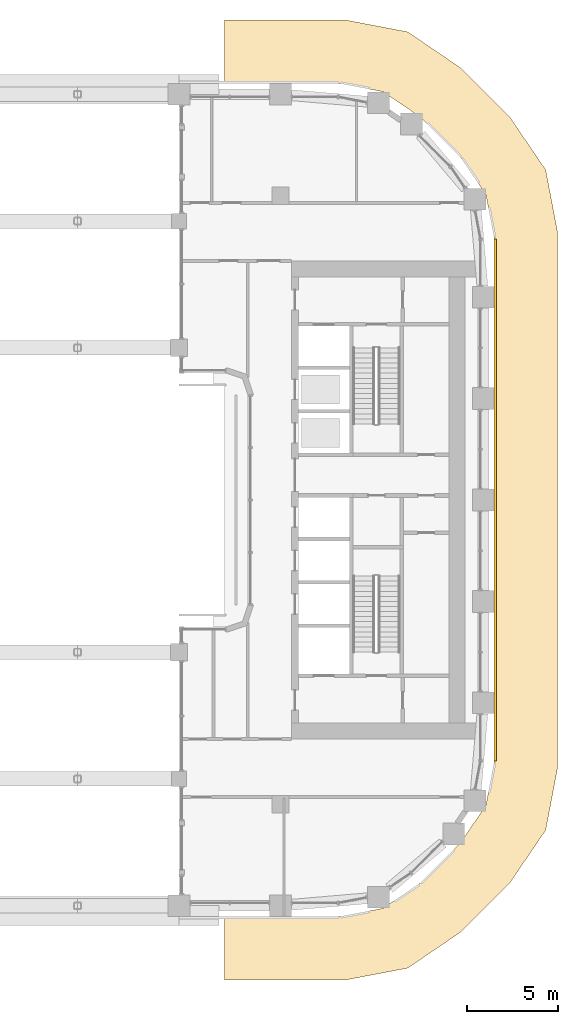
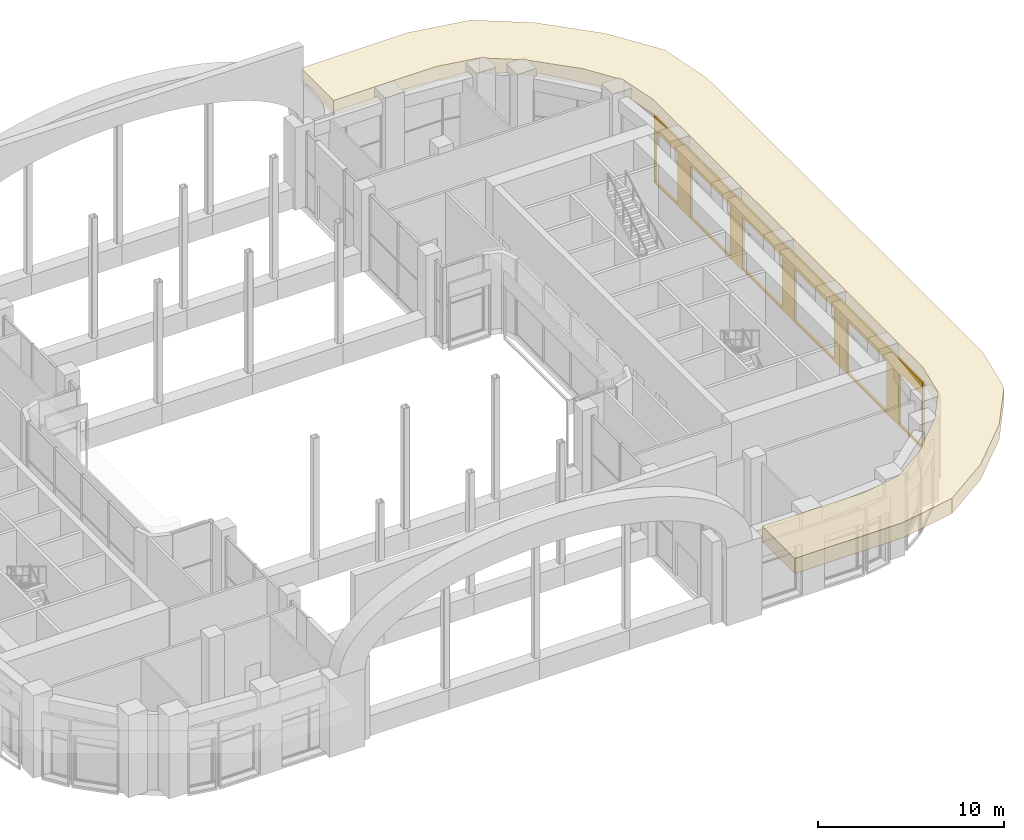
# One storey, part 25 of 28: 2 coverings.
"""IFC4 building model written with IfcOpenShell, lengths in metres."""

from ifc_helpers import new_model, si_unit, direction, frame, origin, place, context, subcontext, project, spatial, polyline, outline, extrude, material, layer, layer_set, type_object, element, save


model = new_model("IFC4")

# Units and contexts
model_context = context("Model", 3, precision=1e-05, world=origin(), true_north=direction((0.0, 1.0)))
body_context = subcontext(model_context, "Body", "Model", "MODEL_VIEW")
ifc_project = project(units=[si_unit("LENGTHUNIT", "METRE"), si_unit("AREAUNIT", "SQUARE_METRE"), si_unit("VOLUMEUNIT", "CUBIC_METRE"), si_unit("PLANEANGLEUNIT", "RADIAN"), si_unit("MASSUNIT", "GRAM", prefix="KILO")], contexts=[model_context])

# Site, building, storey
site_placement = place(None, origin())
site = spatial("IfcSite", under=ifc_project, at=site_placement, CompositionType="ELEMENT")
building_placement = place(site_placement, origin())
building = spatial("IfcBuilding", under=site, at=building_placement, Name="Kiln Ring Residences", CompositionType="ELEMENT")
storey_placement = place(building_placement, frame((0.0, 0.0, 125.300048828125)))
storey = spatial("IfcBuildingStorey", under=building, at=storey_placement, Name="L32", CompositionType="ELEMENT", Elevation=125.300048828125)

# Coverings
ifc_material_1 = material(Name="Brick masonry, dark clay brick", Category="masonry")
ifc_layer_1 = layer(ifc_material_1, 0.1201171875)
ifc_layer_set_1 = layer_set([ifc_layer_1], Name="RAINSCREEN PANEL 120")
covering_type_1 = type_object("IfcCoveringType", Name="RAINSCREEN PANEL 120", PredefinedType="CLADDING", material=ifc_layer_set_1)
covering_1_placement = place(storey_placement, frame((28.659912109375, -14.39990234375, 0.0), z_axis=(0.0, 0.0, 1.0), x_axis=(0.0, 1.0, 0.0)))
element("IfcCovering", 1, at=covering_1_placement, inside=storey, type_object=covering_type_1, Name="RAINSCREEN L32", PredefinedType="CLADDING", context=body_context, shape_type="SweptSolid", body=[
    extrude(outline(polyline([(0.0, 0.0), (28.800048828125, 0.0), (28.800048828125, 4.39990234375), (0.0, 4.39990234375), (0.0, 0.0)]), holes=[polyline([(2.52001953125, 0.1298828125), (2.52001953125, 3.469970703125), (0.080078125, 3.469970703125), (0.080078125, 0.1298828125), (2.52001953125, 0.1298828125)]), polyline([(3.8798828125, 0.1298828125), (8.1201171875, 0.1298828125), (8.1201171875, 3.469970703125), (3.8798828125, 3.469970703125), (3.8798828125, 0.1298828125)]), polyline([(9.47998046875, 0.1298828125), (13.719970703125, 0.1298828125), (13.719970703125, 3.469970703125), (9.47998046875, 3.469970703125), (9.47998046875, 0.1298828125)]), polyline([(19.320068359375, 0.1298828125), (19.320068359375, 3.469970703125), (15.080078125, 3.469970703125), (15.080078125, 0.1298828125), (19.320068359375, 0.1298828125)]), polyline([(20.679931640625, 0.1298828125), (24.919921875, 0.1298828125), (24.919921875, 3.469970703125), (20.679931640625, 3.469970703125), (20.679931640625, 0.1298828125)]), polyline([(26.280029296875, 0.1298828125), (28.719970703125, 0.1298828125), (28.719970703125, 3.469970703125), (26.280029296875, 3.469970703125), (26.280029296875, 0.1298828125)])]), frame((0.0, 0.06005859375, 0.0), z_axis=(0.0, -1.0, 0.0), x_axis=(1.0, 0.0, 0.0)), (0.0, 0.0, 1.0), 0.1201171875),
])
ifc_material_2 = material(Name="Black powder-coated steel", Category="steel")
ifc_layer_2 = layer(ifc_material_2, 1.0)
ifc_layer_set_2 = layer_set([ifc_layer_2], Name="SUNSHADE FIN 3500")
covering_type_2 = type_object("IfcCoveringType", Name="SUNSHADE FIN 3500", PredefinedType="CLADDING", material=ifc_layer_set_2)
covering_2_placement = place(storey_placement, frame((0.0, 0.0, 4.39990234375)))
element("IfcCovering", 2, at=covering_2_placement, inside=storey, type_object=covering_type_2, Name="SUNSHADE FIN L32", PredefinedType="CLADDING", context=body_context, shape_type="SweptSolid", body=[
    extrude(outline(polyline([(20.387451171875, 26.5), (13.699951171875, 26.5), (13.699951171875, 23.0), (20.056640625, 23.0), (22.458740234375, 22.541748046875), (24.481201171875, 21.167236328125), (26.767333984375, 18.881103515625), (28.141845703125, 16.858642578125), (28.60009765625, 14.456787109375), (28.60009765625, -14.456787109375), (28.141845703125, -16.858642578125), (26.767333984375, -18.881103515625), (24.481201171875, -21.167236328125), (22.458740234375, -22.541748046875), (20.056640625, -23.0), (13.699951171875, -23.0), (13.699951171875, -26.5), (20.387451171875, -26.5), (23.82666015625, -25.843994140625), (26.72216796875, -23.876220703125), (29.47607421875, -21.122314453125), (31.444091796875, -18.2265625), (32.10009765625, -14.78759765625), (32.10009765625, 14.78759765625), (31.444091796875, 18.2265625), (29.47607421875, 21.122314453125), (26.72216796875, 23.876220703125), (23.82666015625, 25.843994140625), (20.387451171875, 26.5)])), origin(), (0.0, 0.0, 1.0), 1.0),
])

save(model, "model.ifc")
